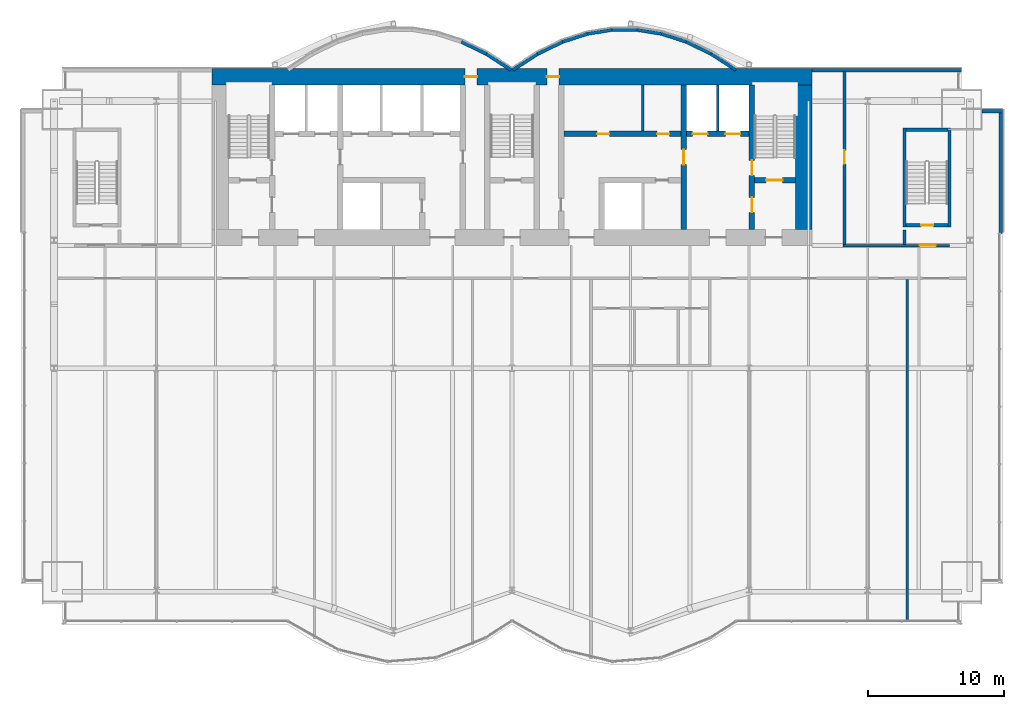
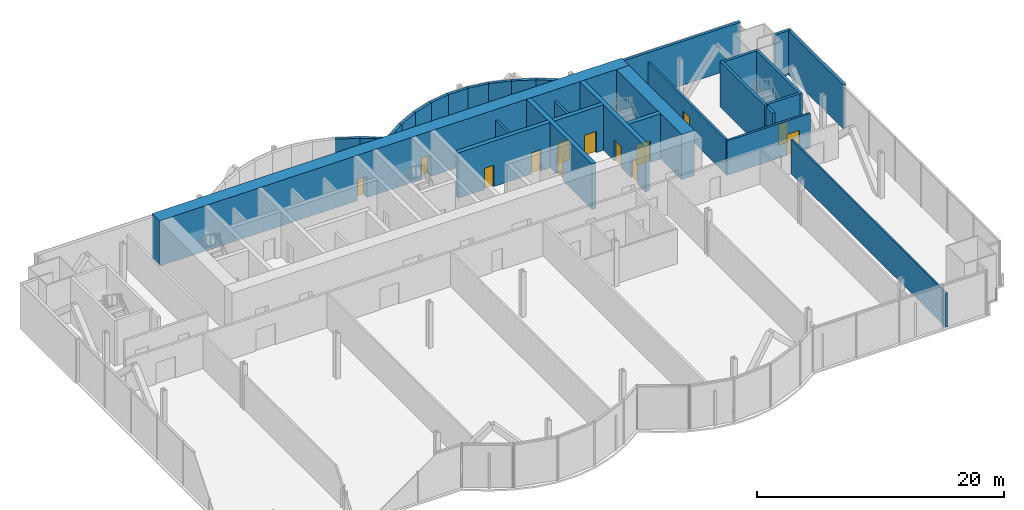
# One storey, part 17 of 21: 30 walls, 13 doors, 13 openings.
"""IFC4 building model written with IfcOpenShell, lengths in metres."""

from ifc_helpers import new_model, si_unit, direction, frame, frame_2d, origin, place, context, subcontext, project, spatial, rectangle, extrude, material, layer, layer_set, layer_usage, type_object, element, fill, save


model = new_model("IFC4")

# Units and contexts
model_context = context("Model", 3, precision=1e-05, world=origin(), true_north=direction((0.0, 1.0)))
body_context = subcontext(model_context, "Body", "Model", "MODEL_VIEW")
ifc_project = project(units=[si_unit("LENGTHUNIT", "METRE"), si_unit("AREAUNIT", "SQUARE_METRE"), si_unit("VOLUMEUNIT", "CUBIC_METRE"), si_unit("PLANEANGLEUNIT", "RADIAN"), si_unit("MASSUNIT", "GRAM", prefix="KILO")], contexts=[model_context])

# Site, building, storey
site_placement = place(None, origin())
site = spatial("IfcSite", under=ifc_project, at=site_placement, CompositionType="ELEMENT")
building_placement = place(site_placement, origin())
building = spatial("IfcBuilding", under=site, at=building_placement, Name="Bicima Exchange Tower", CompositionType="ELEMENT")
storey_placement = place(building_placement, frame((0.0, 0.0, 57.5)))
storey = spatial("IfcBuildingStorey", under=building, at=storey_placement, Name="L11", CompositionType="ELEMENT", Elevation=57.5)

# Wall
ifc_material_1 = material(Name="Gypsum board partition")
ifc_layer_1 = layer(ifc_material_1, 0.199951171875)
ifc_layer_set_1 = layer_set([ifc_layer_1], Name="Gypsum board partition")
wall_type_1 = type_object("IfcWallType", Name="Fire-rated gypsum partition 200 EI120", PredefinedType="PARTITIONING", material=ifc_layer_set_1)
wall_1_placement = place(storey_placement, frame((15.10009765625, -4.60009765625, 0.0), z_axis=(0.0, 0.0, 1.0), x_axis=(0.0, 1.0, 0.0)))
element("IfcWall", 1, at=wall_1_placement, inside=storey, type_object=wall_type_1, Name="partition wall 23", PredefinedType="PARTITIONING", context=body_context, shape_type="SweptSolid", body=[
    extrude(rectangle(XDim=3.400146484375, YDim=0.199951171875, at=frame_2d((1.7001953125, 0.0))), origin(), (0.0, 0.0, 1.0), 3.418212890625),
])

# Wall, opening, door
ifc_layer_2 = layer(ifc_material_1, 0.199951171875)
ifc_layer_set_2 = layer_set([ifc_layer_2], Name="Gypsum board partition")
wall_type_2 = type_object("IfcWallType", Name="Fire-rated gypsum partition 200 EI60", PredefinedType="PARTITIONING", material=ifc_layer_set_2)
wall_2_placement = place(storey_placement, frame((24.300048828125, -13.0, 0.0), z_axis=(0.0, 0.0, 1.0), x_axis=(1.0, 0.0, 0.0)))
wall_2 = element("IfcWall", 2, at=wall_2_placement, inside=storey, type_object=wall_type_2, Name="partition wall 5", PredefinedType="PARTITIONING", context=body_context, shape_type="SweptSolid", body=[
    extrude(rectangle(XDim=7.800048828125, YDim=0.199951171875, at=frame_2d((3.89990234375, 0.0))), origin(), (0.0, 0.0, 1.0), 3.418212890625),
])
opening_1_placement = place(wall_2_placement, frame((5.60009765625, 0.0, 0.0)))
opening_1 = element("IfcOpeningElement", 3, at=opening_1_placement, cuts=wall_2, Name="Opening L11-003", PredefinedType="OPENING", context=body_context, shape_type="SweptSolid", body=[
    extrude(rectangle(XDim=1.199951171875, YDim=2.10009765625, at=frame_2d((0.60009765625, 1.050048828125))), frame((0.0, 0.11181640625, 0.0), z_axis=(0.0, -1.0, 0.0), x_axis=(1.0, 0.0, 0.0)), (0.0, 0.0, 1.0), 0.223876953125),
])
ifc_material_2 = material(Name="Steel fire door leaf", Category="steel")
door_type_1 = type_object("IfcDoorType", Name="Door 1200 swing FD30S", OperationType="SINGLE_SWING_LEFT", PredefinedType="DOOR", material=ifc_material_2)
door_1_placement = place(opening_1_placement, origin())
door_1 = element("IfcDoor", 4, at=door_1_placement, inside=storey, type_object=door_type_1, Name="Door", OperationType="SINGLE_SWING_RIGHT", OverallHeight=2.10009765625, OverallWidth=1.199951171875, PredefinedType="DOOR", context=body_context, shape_type="SweptSolid", body=[
    extrude(rectangle(XDim=1.199951171875, YDim=2.10009765625, at=frame_2d((0.60009765625, 1.050048828125))), frame((0.0, 0.02490234375, 0.0), z_axis=(0.0, -1.0, 0.0), x_axis=(1.0, 0.0, 0.0)), (0.0, 0.0, 1.0), 0.050048828125),
])
fill(opening_1, door_1)

wall_3_placement = place(storey_placement, frame((24.39990234375, -12.89990234375, 0.0), z_axis=(0.0, 0.0, 1.0), x_axis=(0.0, 1.0, 0.0)))
wall_3 = element("IfcWall", 5, at=wall_3_placement, inside=storey, type_object=wall_type_2, Name="partition wall 25", PredefinedType="PARTITIONING", context=body_context, shape_type="SweptSolid", body=[
    extrude(rectangle(XDim=12.68994140625, YDim=0.199951171875, at=frame_2d((6.344970703125, 0.0))), origin(), (0.0, 0.0, 1.0), 3.418212890625),
])
opening_2_placement = place(wall_3_placement, frame((5.89990234375, 0.0, 0.0)))
opening_2 = element("IfcOpeningElement", 6, at=opening_2_placement, cuts=wall_3, Name="Opening L11-006", PredefinedType="OPENING", context=body_context, shape_type="SweptSolid", body=[
    extrude(rectangle(XDim=1.0, YDim=2.10009765625, at=frame_2d((0.5, 1.050048828125))), frame((0.0, 0.11181640625, 0.0), z_axis=(0.0, -1.0, 0.0), x_axis=(1.0, 0.0, 0.0)), (0.0, 0.0, 1.0), 0.223876953125),
])
door_type_2 = type_object("IfcDoorType", Name="Door 1000 swing FD30S", OperationType="SINGLE_SWING_LEFT", PredefinedType="DOOR", material=ifc_material_2)
door_2_placement = place(opening_2_placement, frame((1.0, 0.0, 0.0), z_axis=(0.0, 0.0, 1.0), x_axis=(-1.0, 0.0, 0.0)))
door_2 = element("IfcDoor", 7, at=door_2_placement, inside=storey, type_object=door_type_2, Name="Door", OperationType="SINGLE_SWING_RIGHT", OverallHeight=2.10009765625, OverallWidth=1.0, PredefinedType="DOOR", context=body_context, shape_type="SweptSolid", body=[
    extrude(rectangle(XDim=1.0, YDim=2.10009765625, at=frame_2d((0.5, 1.050048828125))), frame((0.0, 0.02490234375, 0.0), z_axis=(0.0, -1.0, 0.0), x_axis=(1.0, 0.0, 0.0)), (0.0, 0.0, 1.0), 0.050048828125),
])
fill(opening_2, door_2)

# Walls
wall_4_placement = place(storey_placement, frame((9.60009765625, -4.60009765625, 0.0), z_axis=(0.0, 0.0, 1.0), x_axis=(0.0, 1.0, 0.0)))
element("IfcWall", 8, at=wall_4_placement, inside=storey, type_object=wall_type_2, Name="partition wall 21", PredefinedType="PARTITIONING", context=body_context, shape_type="SweptSolid", body=[
    extrude(rectangle(XDim=3.400146484375, YDim=0.199951171875, at=frame_2d((1.7001953125, 0.0))), origin(), (0.0, 0.0, 1.0), 3.418212890625),
])
ifc_layer_3 = layer(ifc_material_1, 0.14990234375)
ifc_layer_set_3 = layer_set([ifc_layer_3], Name="Gypsum board partition")
wall_type_3 = type_object("IfcWallType", Name="Gypsum partition 150", PredefinedType="PARTITIONING", material=ifc_layer_set_3)
wall_5_placement = place(storey_placement, frame((29.0, -40.570068359375, 0.0), z_axis=(0.0, 0.0, 1.0), x_axis=(0.0, 1.0, 0.0)))
element("IfcWall", 9, at=wall_5_placement, inside=storey, type_object=wall_type_3, Name="partition wall 28", PredefinedType="PARTITIONING", context=body_context, shape_type="SweptSolid", body=[
    extrude(rectangle(XDim=25.070068359375, YDim=0.14990234375, at=frame_2d((12.53515625, 0.0))), origin(), (0.0, 0.0, 1.0), 3.418212890625),
])

# Wall, openings, doors
ifc_material_3 = material(Name="Concrete C60/75", Category="concrete")
ifc_layer_4 = layer(ifc_material_3, 1.199951171875)
ifc_layer_set_4 = layer_set([ifc_layer_4], Name="Concrete C60/75")
wall_type_4 = type_object("IfcWallType", Name="RC core wall 1200 C60/75", PredefinedType="SHEAR", material=ifc_layer_set_4)
wall_6_placement = place(storey_placement, frame((-22.0, -0.60009765625, 0.0), z_axis=(0.0, 0.0, 1.0), x_axis=(1.0, 0.0, 0.0)))
wall_6 = element("IfcWall", 10, at=wall_6_placement, inside=storey, type_object=wall_type_4, Name="Core wall north", PredefinedType="SHEAR", context=body_context, shape_type="SweptSolid", body=[
    extrude(rectangle(XDim=44.0, YDim=1.199951171875, at=frame_2d((22.0, 0.0))), origin(), (0.0, 0.0, 1.0), 4.5),
])
opening_3_placement = place(wall_6_placement, frame((18.550048828125, 0.0, 0.0)))
opening_3 = element("IfcOpeningElement", 11, at=opening_3_placement, cuts=wall_6, Name="Opening L11-C16", PredefinedType="OPENING", context=body_context, shape_type="SweptSolid", body=[
    extrude(rectangle(XDim=0.89990234375, YDim=2.10009765625, at=frame_2d((0.449951171875, 1.050048828125))), frame((0.0, 0.61181640625, 0.0), z_axis=(0.0, -1.0, 0.0), x_axis=(1.0, 0.0, 0.0)), (0.0, 0.0, 1.0), 1.223876953125),
])
opening_4_placement = place(wall_6_placement, frame((24.550048828125, 0.0, 0.0)))
opening_4 = element("IfcOpeningElement", 12, at=opening_4_placement, cuts=wall_6, Name="Opening L11-C17", PredefinedType="OPENING", context=body_context, shape_type="SweptSolid", body=[
    extrude(rectangle(XDim=0.89990234375, YDim=2.10009765625, at=frame_2d((0.449951171875, 1.050048828125))), frame((0.0, 0.61181640625, 0.0), z_axis=(0.0, -1.0, 0.0), x_axis=(1.0, 0.0, 0.0)), (0.0, 0.0, 1.0), 1.223876953125),
])
door_type_3 = type_object("IfcDoorType", Name="Door 900 swing FD30S", OperationType="SINGLE_SWING_LEFT", PredefinedType="DOOR", material=ifc_material_2)
door_3_placement = place(opening_3_placement, origin())
door_3 = element("IfcDoor", 13, at=door_3_placement, inside=storey, type_object=door_type_3, Name="Core door", OperationType="SINGLE_SWING_LEFT", OverallHeight=2.10009765625, OverallWidth=0.89990234375, PredefinedType="DOOR", context=body_context, shape_type="SweptSolid", body=[
    extrude(rectangle(XDim=0.89990234375, YDim=2.10009765625, at=frame_2d((0.449951171875, 1.050048828125))), frame((0.0, 0.02490234375, 0.0), z_axis=(0.0, -1.0, 0.0), x_axis=(1.0, 0.0, 0.0)), (0.0, 0.0, 1.0), 0.050048828125),
])
fill(opening_3, door_3)
door_4_placement = place(opening_4_placement, origin())
door_4 = element("IfcDoor", 14, at=door_4_placement, inside=storey, type_object=door_type_3, Name="Core door", OperationType="SINGLE_SWING_LEFT", OverallHeight=2.10009765625, OverallWidth=0.89990234375, PredefinedType="DOOR", context=body_context, shape_type="SweptSolid", body=[
    extrude(rectangle(XDim=0.89990234375, YDim=2.10009765625, at=frame_2d((0.449951171875, 1.050048828125))), frame((0.0, 0.02490234375, 0.0), z_axis=(0.0, -1.0, 0.0), x_axis=(1.0, 0.0, 0.0)), (0.0, 0.0, 1.0), 0.050048828125),
])
fill(opening_4, door_4)

# Walls
wall_7_placement = place(storey_placement, frame((21.39990234375, -11.800048828125, 0.0), z_axis=(0.0, 0.0, 1.0), x_axis=(0.0, 1.0, 0.0)))
element("IfcWall", 15, at=wall_7_placement, inside=storey, type_object=wall_type_4, Name="Core wall east", PredefinedType="SHEAR", context=body_context, shape_type="SweptSolid", body=[
    extrude(rectangle(XDim=10.60009765625, YDim=1.199951171875, at=frame_2d((5.300048828125, 0.0))), origin(), (0.0, 0.0, 1.0), 4.5),
])
ifc_material_4 = material(Name="Concrete C50/60", Category="concrete")
ifc_layer_5 = layer(ifc_material_4, 0.25)
ifc_layer_set_5 = layer_set([ifc_layer_5], Name="Concrete C50/60")
wall_type_5 = type_object("IfcWallType", Name="RC core wall 250 C50/60", PredefinedType="SHEAR", material=ifc_layer_set_5)
wall_8_placement = place(storey_placement, frame((28.800048828125, -12.89990234375, 0.0), z_axis=(0.0, 0.0, 1.0), x_axis=(0.0, 1.0, 0.0)))
element("IfcWall", 16, at=wall_8_placement, inside=storey, type_object=wall_type_5, Name="stair wall 27", PredefinedType="SHEAR", context=body_context, shape_type="SweptSolid", body=[
    extrude(rectangle(XDim=1.0498046875, YDim=0.25, at=frame_2d((0.52490234375, 0.0))), origin(), (0.0, 0.0, 1.0), 4.5),
])

# Wall, opening, door
ifc_layer_6 = layer(ifc_material_4, 0.39990234375)
ifc_layer_set_6 = layer_set([ifc_layer_6], Name="Concrete C50/60")
wall_type_6 = type_object("IfcWallType", Name="RC core wall 400 C50/60", PredefinedType="SHEAR", material=ifc_layer_set_6)
wall_9_placement = place(storey_placement, frame((17.800048828125, -8.199951171875, 0.0), z_axis=(0.0, 0.0, 1.0), x_axis=(1.0, 0.0, 0.0)))
wall_9 = element("IfcWall", 17, at=wall_9_placement, inside=storey, type_object=wall_type_6, Name="stair wall 5", PredefinedType="SHEAR", context=body_context, shape_type="SweptSolid", body=[
    extrude(rectangle(XDim=3.0, YDim=0.39990234375, at=frame_2d((1.5, 0.0))), origin(), (0.0, 0.0, 1.0), 4.5),
])
opening_5_placement = place(wall_9_placement, frame((0.85009765625, 0.0, 0.0)))
opening_5 = element("IfcOpeningElement", 18, at=opening_5_placement, cuts=wall_9, Name="Opening L11-C04", PredefinedType="OPENING", context=body_context, shape_type="SweptSolid", body=[
    extrude(rectangle(XDim=1.199951171875, YDim=2.10009765625, at=frame_2d((0.60009765625, 1.050048828125))), frame((0.0, 0.2119140625, 0.0), z_axis=(0.0, -1.0, 0.0), x_axis=(1.0, 0.0, 0.0)), (0.0, 0.0, 1.0), 0.423828125),
])
door_type_4 = type_object("IfcDoorType", Name="Door 1200 swing FD60S", OperationType="SINGLE_SWING_LEFT", PredefinedType="DOOR", material=ifc_material_2)
door_5_placement = place(opening_5_placement, origin())
door_5 = element("IfcDoor", 19, at=door_5_placement, inside=storey, type_object=door_type_4, Name="Core door", OperationType="SINGLE_SWING_RIGHT", OverallHeight=2.10009765625, OverallWidth=1.199951171875, PredefinedType="DOOR", context=body_context, shape_type="SweptSolid", body=[
    extrude(rectangle(XDim=1.199951171875, YDim=2.10009765625, at=frame_2d((0.60009765625, 1.050048828125))), frame((0.0, 0.02490234375, 0.0), z_axis=(0.0, -1.0, 0.0), x_axis=(1.0, 0.0, 0.0)), (0.0, 0.0, 1.0), 0.050048828125),
])
fill(opening_5, door_5)

# Wall, openings, doors
wall_10_placement = place(storey_placement, frame((17.60009765625, -11.800048828125, 0.0), z_axis=(0.0, 0.0, 1.0), x_axis=(0.0, 1.0, 0.0)))
wall_10 = element("IfcWall", 20, at=wall_10_placement, inside=storey, type_object=wall_type_6, Name="stair wall 24", PredefinedType="SHEAR", context=body_context, shape_type="SweptSolid", body=[
    extrude(rectangle(XDim=10.60009765625, YDim=0.39990234375, at=frame_2d((5.300048828125, 0.0))), origin(), (0.0, 0.0, 1.0), 4.5),
])
opening_6_placement = place(wall_10_placement, frame((1.25, 0.0, 0.0)))
opening_6 = element("IfcOpeningElement", 21, at=opening_6_placement, cuts=wall_10, Name="Opening L11-C05", PredefinedType="OPENING", context=body_context, shape_type="SweptSolid", body=[
    extrude(rectangle(XDim=1.10009765625, YDim=2.10009765625, at=frame_2d((0.550048828125, 1.050048828125))), frame((0.0, 0.2119140625, 0.0), z_axis=(0.0, -1.0, 0.0), x_axis=(1.0, 0.0, 0.0)), (0.0, 0.0, 1.0), 0.423828125),
])
opening_7_placement = place(wall_10_placement, frame((3.949951171875, 0.0, 0.0)))
opening_7 = element("IfcOpeningElement", 22, at=opening_7_placement, cuts=wall_10, Name="Opening L11-C08", PredefinedType="OPENING", context=body_context, shape_type="SweptSolid", body=[
    extrude(rectangle(XDim=1.10009765625, YDim=2.10009765625, at=frame_2d((0.550048828125, 1.050048828125))), frame((0.0, 0.2119140625, 0.0), z_axis=(0.0, -1.0, 0.0), x_axis=(1.0, 0.0, 0.0)), (0.0, 0.0, 1.0), 0.423828125),
])
door_type_5 = type_object("IfcDoorType", Name="Door 1100 swing FD60S", OperationType="SINGLE_SWING_LEFT", PredefinedType="DOOR", material=ifc_material_2)
door_6_placement = place(opening_6_placement, origin())
door_6 = element("IfcDoor", 23, at=door_6_placement, inside=storey, type_object=door_type_5, Name="Core door", OperationType="SINGLE_SWING_LEFT", OverallHeight=2.10009765625, OverallWidth=1.10009765625, PredefinedType="DOOR", context=body_context, shape_type="SweptSolid", body=[
    extrude(rectangle(XDim=1.10009765625, YDim=2.10009765625, at=frame_2d((0.550048828125, 1.050048828125))), frame((0.0, 0.02490234375, 0.0), z_axis=(0.0, -1.0, 0.0), x_axis=(1.0, 0.0, 0.0)), (0.0, 0.0, 1.0), 0.050048828125),
])
fill(opening_6, door_6)
door_7_placement = place(opening_7_placement, origin())
door_7 = element("IfcDoor", 24, at=door_7_placement, inside=storey, type_object=door_type_5, Name="Core door", OperationType="SINGLE_SWING_RIGHT", OverallHeight=2.10009765625, OverallWidth=1.10009765625, PredefinedType="DOOR", context=body_context, shape_type="SweptSolid", body=[
    extrude(rectangle(XDim=1.10009765625, YDim=2.10009765625, at=frame_2d((0.550048828125, 1.050048828125))), frame((0.0, 0.02490234375, 0.0), z_axis=(0.0, -1.0, 0.0), x_axis=(1.0, 0.0, 0.0)), (0.0, 0.0, 1.0), 0.050048828125),
])
fill(opening_7, door_7)

ifc_layer_7 = layer(ifc_material_3, 0.39990234375)
ifc_layer_set_7 = layer_set([ifc_layer_7], Name="Concrete C60/75")
wall_type_7 = type_object("IfcWallType", Name="RC core wall 400 C60/75", PredefinedType="SHEAR", material=ifc_layer_set_7)
wall_11_placement = place(storey_placement, frame((3.800048828125, -4.800048828125, 0.0), z_axis=(0.0, 0.0, 1.0), x_axis=(1.0, 0.0, 0.0)))
wall_11 = element("IfcWall", 25, at=wall_11_placement, inside=storey, type_object=wall_type_7, Name="shear wall 7", PredefinedType="SHEAR", context=body_context, shape_type="SweptSolid", body=[
    extrude(rectangle(XDim=13.599853515625, YDim=0.39990234375, at=frame_2d((6.7998046875, 0.0))), origin(), (0.0, 0.0, 1.0), 4.5),
])
opening_8_placement = place(wall_11_placement, frame((9.449951171875, 0.0, 0.0)))
opening_8 = element("IfcOpeningElement", 26, at=opening_8_placement, cuts=wall_11, Name="Opening LD-FF2-L11", PredefinedType="OPENING", context=body_context, shape_type="SweptSolid", body=[
    extrude(rectangle(XDim=1.10009765625, YDim=2.10009765625, at=frame_2d((0.550048828125, 1.050048828125))), frame((0.0, 0.2119140625, 0.0), z_axis=(0.0, -1.0, 0.0), x_axis=(1.0, 0.0, 0.0)), (0.0, 0.0, 1.0), 0.423828125),
])
opening_9_placement = place(wall_11_placement, frame((11.85009765625, 0.0, 0.0)))
opening_9 = element("IfcOpeningElement", 27, at=opening_9_placement, cuts=wall_11, Name="Opening LD-SV1-L11", PredefinedType="OPENING", context=body_context, shape_type="SweptSolid", body=[
    extrude(rectangle(XDim=1.10009765625, YDim=2.10009765625, at=frame_2d((0.550048828125, 1.050048828125))), frame((0.0, 0.2119140625, 0.0), z_axis=(0.0, -1.0, 0.0), x_axis=(1.0, 0.0, 0.0)), (0.0, 0.0, 1.0), 0.423828125),
])
opening_10_placement = place(wall_11_placement, frame((2.449951171875, 0.0, 0.0)))
opening_10 = element("IfcOpeningElement", 28, at=opening_10_placement, cuts=wall_11, Name="Opening L11-C12", PredefinedType="OPENING", context=body_context, shape_type="SweptSolid", body=[
    extrude(rectangle(XDim=0.89990234375, YDim=2.10009765625, at=frame_2d((0.449951171875, 1.050048828125))), frame((0.0, 0.2119140625, 0.0), z_axis=(0.0, -1.0, 0.0), x_axis=(1.0, 0.0, 0.0)), (0.0, 0.0, 1.0), 0.423828125),
])
opening_11_placement = place(wall_11_placement, frame((6.85009765625, 0.0, 0.0)))
opening_11 = element("IfcOpeningElement", 29, at=opening_11_placement, cuts=wall_11, Name="Opening L11-C13", PredefinedType="OPENING", context=body_context, shape_type="SweptSolid", body=[
    extrude(rectangle(XDim=0.89990234375, YDim=2.10009765625, at=frame_2d((0.449951171875, 1.050048828125))), frame((0.0, 0.2119140625, 0.0), z_axis=(0.0, -1.0, 0.0), x_axis=(1.0, 0.0, 0.0)), (0.0, 0.0, 1.0), 0.423828125),
])
door_8_placement = place(opening_10_placement, origin())
door_8 = element("IfcDoor", 30, at=door_8_placement, inside=storey, type_object=door_type_3, Name="Core door", OperationType="SINGLE_SWING_RIGHT", OverallHeight=2.10009765625, OverallWidth=0.89990234375, PredefinedType="DOOR", context=body_context, shape_type="SweptSolid", body=[
    extrude(rectangle(XDim=0.89990234375, YDim=2.10009765625, at=frame_2d((0.449951171875, 1.050048828125))), frame((0.0, 0.02490234375, 0.0), z_axis=(0.0, -1.0, 0.0), x_axis=(1.0, 0.0, 0.0)), (0.0, 0.0, 1.0), 0.050048828125),
])
fill(opening_10, door_8)
door_9_placement = place(opening_11_placement, origin())
door_9 = element("IfcDoor", 31, at=door_9_placement, inside=storey, type_object=door_type_3, Name="Core door", OperationType="SINGLE_SWING_LEFT", OverallHeight=2.10009765625, OverallWidth=0.89990234375, PredefinedType="DOOR", context=body_context, shape_type="SweptSolid", body=[
    extrude(rectangle(XDim=0.89990234375, YDim=2.10009765625, at=frame_2d((0.449951171875, 1.050048828125))), frame((0.0, 0.02490234375, 0.0), z_axis=(0.0, -1.0, 0.0), x_axis=(1.0, 0.0, 0.0)), (0.0, 0.0, 1.0), 0.050048828125),
])
fill(opening_11, door_9)
ifc_material_5 = material(Name="Stainless steel", Category="steel")
door_type_6 = type_object("IfcDoorType", Name="Lift landing door 1100 sliding", OperationType="DOUBLE_DOOR_SLIDING", PredefinedType="DOOR", material=ifc_material_5)
door_10_placement = place(opening_8_placement, origin())
door_10 = element("IfcDoor", 32, at=door_10_placement, inside=storey, type_object=door_type_6, Name="Lift landing door FF2", OperationType="DOUBLE_DOOR_SLIDING", OverallHeight=2.10009765625, OverallWidth=1.10009765625, PredefinedType="DOOR", context=body_context, shape_type="SweptSolid", body=[
    extrude(rectangle(XDim=1.10009765625, YDim=2.10009765625, at=frame_2d((0.550048828125, 1.050048828125))), frame((0.0, 0.02490234375, 0.0), z_axis=(0.0, -1.0, 0.0), x_axis=(1.0, 0.0, 0.0)), (0.0, 0.0, 1.0), 0.050048828125),
])
fill(opening_8, door_10)
door_11_placement = place(opening_9_placement, origin())
door_11 = element("IfcDoor", 33, at=door_11_placement, inside=storey, type_object=door_type_6, Name="Lift landing door SV1", OperationType="DOUBLE_DOOR_SLIDING", OverallHeight=2.10009765625, OverallWidth=1.10009765625, PredefinedType="DOOR", context=body_context, shape_type="SweptSolid", body=[
    extrude(rectangle(XDim=1.10009765625, YDim=2.10009765625, at=frame_2d((0.550048828125, 1.050048828125))), frame((0.0, 0.02490234375, 0.0), z_axis=(0.0, -1.0, 0.0), x_axis=(1.0, 0.0, 0.0)), (0.0, 0.0, 1.0), 0.050048828125),
])
fill(opening_9, door_11)

# Wall, opening, door
wall_12_placement = place(storey_placement, frame((12.60009765625, -11.800048828125, 0.0), z_axis=(0.0, 0.0, 1.0), x_axis=(0.0, 1.0, 0.0)))
wall_12 = element("IfcWall", 34, at=wall_12_placement, inside=storey, type_object=wall_type_7, Name="shear wall 22", PredefinedType="SHEAR", context=body_context, shape_type="SweptSolid", body=[
    extrude(rectangle(XDim=10.60009765625, YDim=0.39990234375, at=frame_2d((5.300048828125, 0.0))), origin(), (0.0, 0.0, 1.0), 4.5),
])
opening_12_placement = place(wall_12_placement, frame((4.75, 0.0, 0.0)))
opening_12 = element("IfcOpeningElement", 35, at=opening_12_placement, cuts=wall_12, Name="Opening L11-C09", PredefinedType="OPENING", context=body_context, shape_type="SweptSolid", body=[
    extrude(rectangle(XDim=1.10009765625, YDim=2.10009765625, at=frame_2d((0.550048828125, 1.050048828125))), frame((0.0, 0.2119140625, 0.0), z_axis=(0.0, -1.0, 0.0), x_axis=(1.0, 0.0, 0.0)), (0.0, 0.0, 1.0), 0.423828125),
])
door_12_placement = place(opening_12_placement, frame((1.10009765625, 0.0, 0.0), z_axis=(0.0, 0.0, 1.0), x_axis=(-1.0, 0.0, 0.0)))
door_12 = element("IfcDoor", 36, at=door_12_placement, inside=storey, type_object=door_type_5, Name="Core door", OperationType="SINGLE_SWING_RIGHT", OverallHeight=2.10009765625, OverallWidth=1.10009765625, PredefinedType="DOOR", context=body_context, shape_type="SweptSolid", body=[
    extrude(rectangle(XDim=1.10009765625, YDim=2.10009765625, at=frame_2d((0.550048828125, 1.050048828125))), frame((0.0, 0.02490234375, 0.0), z_axis=(0.0, -1.0, 0.0), x_axis=(1.0, 0.0, 0.0)), (0.0, 0.0, 1.0), 0.050048828125),
])
fill(opening_12, door_12)

# Walls
ifc_layer_8 = layer(ifc_material_4, 0.25)
ifc_layer_set_8 = layer_set([ifc_layer_8], Name="Concrete C50/60")
wall_type_8 = type_object("IfcWallType", Name="RC stair enclosure wall 250 C50/60", PredefinedType="SHEAR", material=ifc_layer_set_8)
for number, where, z_axis, x_axis, name in (
    (37, (28.800048828125, -11.625, 0.0), (0.0, 0.0, 1.0), (0.0, 1.0, 0.0), "East end exit stair wall W"),
    (38, (32.10009765625, -11.625, 0.0), (0.0, 0.0, 1.0), (0.0, 1.0, 0.0), "East end exit stair wall E"),
):
    element("IfcWall", number, at=place(storey_placement, frame(where, z_axis=z_axis, x_axis=x_axis)), inside=storey, type_object=wall_type_8, Name=name, PredefinedType="SHEAR", context=body_context, shape_type="SweptSolid", body=[
        extrude(rectangle(XDim=7.25, YDim=0.25, at=frame_2d((3.625, 0.0))), origin(), (0.0, 0.0, 1.0), 4.5),
    ])

# Wall, opening, door
wall_13_placement = place(storey_placement, frame((28.925048828125, -11.5, 0.0), z_axis=(0.0, 0.0, 1.0), x_axis=(1.0, 0.0, 0.0)))
wall_13 = element("IfcWall", 39, at=wall_13_placement, inside=storey, type_object=wall_type_8, Name="East end exit stair wall S", PredefinedType="SHEAR", context=body_context, shape_type="SweptSolid", body=[
    extrude(rectangle(XDim=3.050048828125, YDim=0.25, at=frame_2d((1.52490234375, 0.0))), origin(), (0.0, 0.0, 1.0), 4.5),
])
opening_13_placement = place(wall_13_placement, frame((1.10009765625, 0.0, 0.0)))
opening_13 = element("IfcOpeningElement", 40, at=opening_13_placement, cuts=wall_13, Name="Opening L11-004", PredefinedType="OPENING", context=body_context, shape_type="SweptSolid", body=[
    extrude(rectangle(XDim=0.89990234375, YDim=2.10009765625, at=frame_2d((0.449951171875, 1.050048828125))), frame((0.0, 0.136962890625, 0.0), z_axis=(0.0, -1.0, 0.0), x_axis=(1.0, 0.0, 0.0)), (0.0, 0.0, 1.0), 0.27392578125),
])
door_type_7 = type_object("IfcDoorType", Name="Door 900 swing FD60S", OperationType="SINGLE_SWING_LEFT", PredefinedType="DOOR", material=ifc_material_2)
door_13_placement = place(opening_13_placement, origin())
door_13 = element("IfcDoor", 41, at=door_13_placement, inside=storey, type_object=door_type_7, Name="Door", OperationType="SINGLE_SWING_LEFT", OverallHeight=2.10009765625, OverallWidth=0.89990234375, PredefinedType="DOOR", context=body_context, shape_type="SweptSolid", body=[
    extrude(rectangle(XDim=0.89990234375, YDim=2.10009765625, at=frame_2d((0.449951171875, 1.050048828125))), frame((0.0, 0.02490234375, 0.0), z_axis=(0.0, -1.0, 0.0), x_axis=(1.0, 0.0, 0.0)), (0.0, 0.0, 1.0), 0.050048828125),
])
fill(opening_13, door_13)

# Walls
wall_14_placement = place(storey_placement, frame((28.925048828125, -4.5, 0.0), z_axis=(0.0, 0.0, 1.0), x_axis=(1.0, 0.0, 0.0)))
element("IfcWall", 42, at=wall_14_placement, inside=storey, type_object=wall_type_8, Name="East end exit stair wall N", PredefinedType="SHEAR", context=body_context, shape_type="SweptSolid", body=[
    extrude(rectangle(XDim=3.050048828125, YDim=0.25, at=frame_2d((1.52490234375, 0.0))), origin(), (0.0, 0.0, 1.0), 4.5),
])
ifc_material_6 = material(Name="Concrete C40/50", Category="concrete")
ifc_layer_9 = layer(ifc_material_6, 0.25)
ifc_layer_set_9 = layer_set([ifc_layer_9], Name="Concrete C40/50")
ifc_layer_usage = layer_usage(ifc_layer_set_9, "AXIS2", "POSITIVE", -0.125)
wall_type_9 = type_object("IfcWallType", Name="Rear backup wall 250", PredefinedType="STANDARD", material=ifc_layer_set_9)
wall_15_placement = place(storey_placement, frame((33.0, -0.125, 0.0), z_axis=(0.0, 0.0, 1.0), x_axis=(-1.0, 0.0, 0.0)))
element("IfcWall", 43, at=wall_15_placement, inside=storey, type_object=wall_type_9, material=ifc_layer_usage, Name="Rear backup wall L11 1", PredefinedType="STANDARD", context=body_context, shape_type="SweptSolid", body=[
    extrude(rectangle(XDim=11.0, YDim=0.25, at=frame_2d((5.5, 0.0))), origin(), (0.0, 0.0, 1.0), 4.35009765625),
])
wall_16_placement = place(storey_placement, frame((16.43212890625, -0.10498046875, 0.0), z_axis=(0.0, 0.0, 1.0), x_axis=(-0.83981312244, 0.542875602121, 0.0)))
element("IfcWall", 44, at=wall_16_placement, inside=storey, type_object=wall_type_9, material=ifc_layer_usage, Name="Rear backup wall L11 2", PredefinedType="STANDARD", context=body_context, shape_type="SweptSolid", body=[
    extrude(rectangle(XDim=2.182861328125, YDim=0.25, at=frame_2d((1.09130859375, 0.0))), origin(), (0.0, 0.0, 1.0), 4.35009765625),
])
wall_17_placement = place(storey_placement, frame((14.6123046875, 1.07275390625, 0.0), z_axis=(0.0, 0.0, 1.0), x_axis=(-0.89982408427, 0.436252928206, 0.0)))
element("IfcWall", 45, at=wall_17_placement, inside=storey, type_object=wall_type_9, material=ifc_layer_usage, Name="Rear backup wall L11 3", PredefinedType="STANDARD", context=body_context, shape_type="SweptSolid", body=[
    extrude(rectangle(XDim=2.03759765625, YDim=0.25, at=frame_2d((1.018798828125, 0.0))), origin(), (0.0, 0.0, 1.0), 4.35009765625),
])
wall_18_placement = place(storey_placement, frame((12.794921875, 1.955078125, 0.0), z_axis=(0.0, 0.0, 1.0), x_axis=(-0.951495806175, 0.307661714928, 0.0)))
element("IfcWall", 46, at=wall_18_placement, inside=storey, type_object=wall_type_9, material=ifc_layer_usage, Name="Rear backup wall L11 4", PredefinedType="STANDARD", context=body_context, shape_type="SweptSolid", body=[
    extrude(rectangle(XDim=1.9267578125, YDim=0.25, at=frame_2d((0.96337890625, 0.0))), origin(), (0.0, 0.0, 1.0), 4.35009765625),
])
wall_19_placement = place(storey_placement, frame((10.97998046875, 2.543212890625, 0.0), z_axis=(0.0, 0.0, 1.0), x_axis=(-0.987181718931, 0.159600293885, 0.0)))
element("IfcWall", 47, at=wall_19_placement, inside=storey, type_object=wall_type_9, material=ifc_layer_usage, Name="Rear backup wall L11 5", PredefinedType="STANDARD", context=body_context, shape_type="SweptSolid", body=[
    extrude(rectangle(XDim=1.857177734375, YDim=0.25, at=frame_2d((0.9287109375, 0.0))), origin(), (0.0, 0.0, 1.0), 4.35009765625),
])
wall_20_placement = place(storey_placement, frame((9.166748046875, 2.837890625, 0.0), z_axis=(0.0, 0.0, 1.0), x_axis=(-1.0, 0.0, 0.0)))
element("IfcWall", 48, at=wall_20_placement, inside=storey, type_object=wall_type_9, material=ifc_layer_usage, Name="Rear backup wall L11 6", PredefinedType="STANDARD", context=body_context, shape_type="SweptSolid", body=[
    extrude(rectangle(XDim=1.83349609375, YDim=0.25, at=frame_2d((0.916748046875, 0.0))), origin(), (0.0, 0.0, 1.0), 4.35009765625),
])
wall_21_placement = place(storey_placement, frame((7.353271484375, 2.839599609375, 0.0), z_axis=(0.0, 0.0, 1.0), x_axis=(-0.987181718931, -0.159600293885, 0.0)))
element("IfcWall", 49, at=wall_21_placement, inside=storey, type_object=wall_type_9, material=ifc_layer_usage, Name="Rear backup wall L11 7", PredefinedType="STANDARD", context=body_context, shape_type="SweptSolid", body=[
    extrude(rectangle(XDim=1.857177734375, YDim=0.25, at=frame_2d((0.9287109375, 0.0))), origin(), (0.0, 0.0, 1.0), 4.35009765625),
])
wall_22_placement = place(storey_placement, frame((5.538330078125, 2.5478515625, 0.0), z_axis=(0.0, 0.0, 1.0), x_axis=(-0.951495806175, -0.307661714928, 0.0)))
element("IfcWall", 50, at=wall_22_placement, inside=storey, type_object=wall_type_9, material=ifc_layer_usage, Name="Rear backup wall L11 8", PredefinedType="STANDARD", context=body_context, shape_type="SweptSolid", body=[
    extrude(rectangle(XDim=1.9267578125, YDim=0.25, at=frame_2d((0.96337890625, 0.0))), origin(), (0.0, 0.0, 1.0), 4.35009765625),
])
wall_23_placement = place(storey_placement, frame((3.72119140625, 1.961669921875, 0.0), z_axis=(0.0, 0.0, 1.0), x_axis=(-0.89982408427, -0.436252928206, 0.0)))
element("IfcWall", 51, at=wall_23_placement, inside=storey, type_object=wall_type_9, material=ifc_layer_usage, Name="Rear backup wall L11 9", PredefinedType="STANDARD", context=body_context, shape_type="SweptSolid", body=[
    extrude(rectangle(XDim=2.03759765625, YDim=0.25, at=frame_2d((1.018798828125, 0.0))), origin(), (0.0, 0.0, 1.0), 4.35009765625),
])
for number, where, z_axis, x_axis, name in (
    (52, (1.901123046875, 1.080078125, 0.0), (0.0, 0.0, 1.0), (-0.83981312244, -0.542875602121, 0.0), "Rear backup wall L11 10"),
    (53, (-0.06787109375, -0.10498046875, 0.0), (0.0, 0.0, 1.0), (-0.83981312244, 0.542875602121, 0.0), "Rear backup wall L11 11"),
):
    element("IfcWall", number, at=place(storey_placement, frame(where, z_axis=z_axis, x_axis=x_axis)), inside=storey, type_object=wall_type_9, material=ifc_layer_usage, Name=name, PredefinedType="STANDARD", context=body_context, shape_type="SweptSolid", body=[
        extrude(rectangle(XDim=2.182861328125, YDim=0.25, at=frame_2d((1.09130859375, 0.0))), origin(), (0.0, 0.0, 1.0), 4.35009765625),
    ])
wall_24_placement = place(storey_placement, frame((-1.8876953125, 1.07275390625, 0.0), z_axis=(0.0, 0.0, 1.0), x_axis=(-0.89982408427, 0.436252928206, 0.0)))
element("IfcWall", 54, at=wall_24_placement, inside=storey, type_object=wall_type_9, material=ifc_layer_usage, Name="Rear backup wall L11 12", PredefinedType="STANDARD", context=body_context, shape_type="SweptSolid", body=[
    extrude(rectangle(XDim=2.03759765625, YDim=0.25, at=frame_2d((1.018798828125, 0.0))), origin(), (0.0, 0.0, 1.0), 4.35009765625),
])
wall_25_placement = place(storey_placement, frame((35.875, -12.090087890625, 0.0), z_axis=(0.0, 0.0, 1.0), x_axis=(0.0, 1.0, 0.0)))
element("IfcWall", 55, at=wall_25_placement, inside=storey, type_object=wall_type_9, material=ifc_layer_usage, Name="Rear backup wall L11 50", PredefinedType="STANDARD", context=body_context, shape_type="SweptSolid", body=[
    extrude(rectangle(XDim=9.090087890625, YDim=0.25, at=frame_2d((4.544921875, 0.0))), origin(), (0.0, 0.0, 1.0), 4.35009765625),
])
wall_26_placement = place(storey_placement, frame((36.0, -3.125, 0.0), z_axis=(0.0, 0.0, 1.0), x_axis=(-1.0, 0.0, 0.0)))
element("IfcWall", 56, at=wall_26_placement, inside=storey, type_object=wall_type_9, material=ifc_layer_usage, Name="Rear backup wall L11 51", PredefinedType="STANDARD", context=body_context, shape_type="SweptSolid", body=[
    extrude(rectangle(XDim=1.5, YDim=0.25, at=frame_2d((0.75, 0.0))), origin(), (0.0, 0.0, 1.0), 4.35009765625),
])

save(model, "model.ifc")
